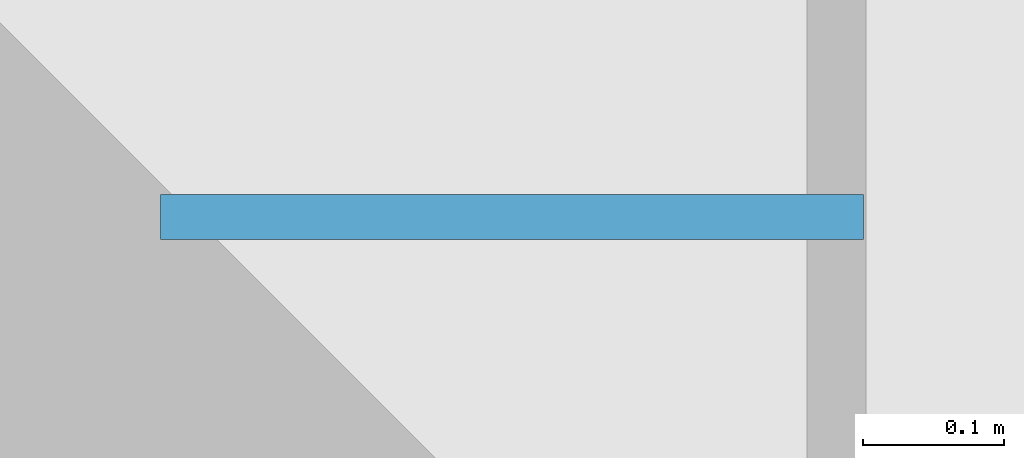
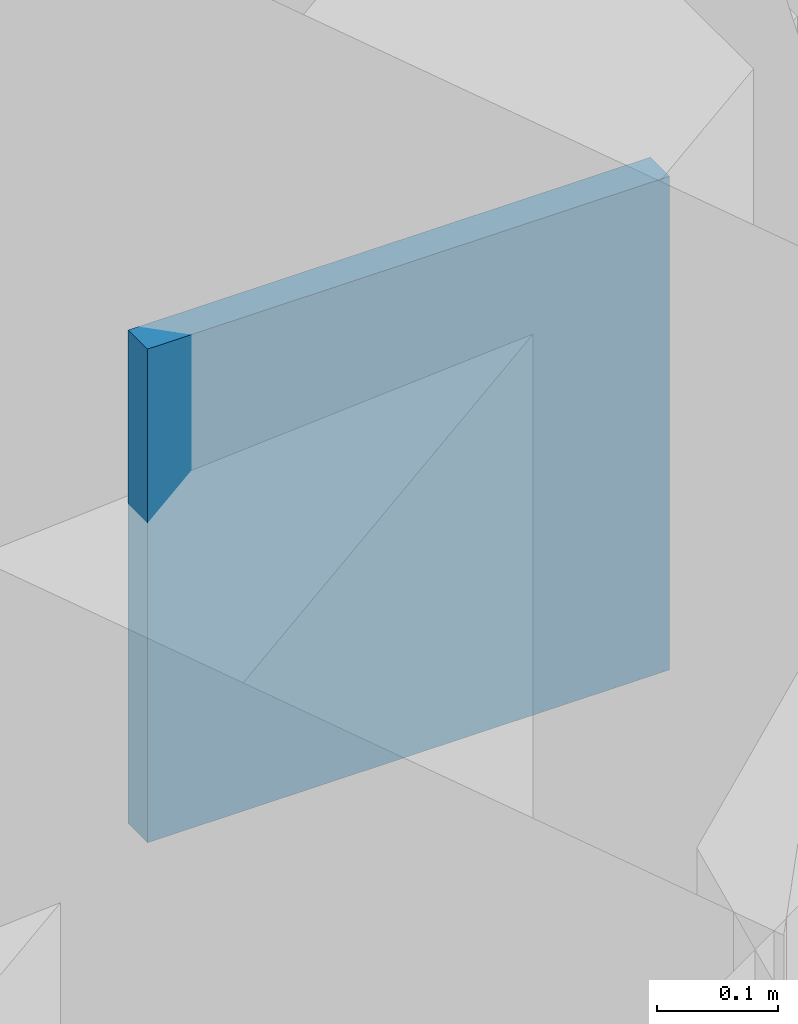
# One storey, part 31 of 46: 1 plate.
"""IFC4 building model written with IfcOpenShell, lengths in metres."""

from ifc_helpers import new_model, si_unit, direction, frame, origin, origin_2d, place, context, subcontext, project, spatial, rectangle, extrude, material, layer, layer_set, type_object, element, save


model = new_model("IFC4")

# Units and contexts
model_context = context("Model", 3, precision=1e-05, world=origin(), true_north=direction((0.0, 1.0)))
body_context = subcontext(model_context, "Body", "Model", "MODEL_VIEW")
ifc_project = project(units=[si_unit("LENGTHUNIT", "METRE"), si_unit("AREAUNIT", "SQUARE_METRE"), si_unit("VOLUMEUNIT", "CUBIC_METRE"), si_unit("PLANEANGLEUNIT", "RADIAN"), si_unit("MASSUNIT", "GRAM", prefix="KILO")], contexts=[model_context])

# Site, building, storey
site_placement = place(None, origin())
site = spatial("IfcSite", under=ifc_project, at=site_placement, CompositionType="ELEMENT")
building_placement = place(site_placement, origin())
building = spatial("IfcBuilding", under=site, at=building_placement, Name="Punatoya Terracotta Tower", CompositionType="ELEMENT")
storey_placement = place(building_placement, frame((0.0, 0.0, 200.550048828125)))
storey = spatial("IfcBuildingStorey", under=building, at=storey_placement, Name="L47", CompositionType="ELEMENT", Elevation=200.550048828125)

# Plate
ifc_material = material(Name="Steel S460", Category="steel")
ifc_layer = layer(ifc_material, 0.031982421875)
ifc_layer_set = layer_set([ifc_layer], Name="Steel S460")
plate_type = type_object("IfcPlateType", Name="PLT-END-32", PredefinedType="USERDEFINED", material=ifc_layer_set)
plate_placement = place(storey_placement, frame((19.548095703125, 17.5, 0.182861328125), z_axis=(0.0, 0.0, 1.0), x_axis=(1.0, 0.0, 0.0)))
element("IfcPlate", 1, at=plate_placement, inside=storey, type_object=plate_type, Name="L48 Knee-Strut Base Gusset Plate E2", ObjectType="FLANGE_PLATE", PredefinedType="USERDEFINED", context=body_context, shape_type="SweptSolid", body=[
    extrude(rectangle(XDim=0.5, YDim=0.031982421875, at=origin_2d()), origin(), (0.0, 0.0, 1.0), 0.5),
])

save(model, "model.ifc")
